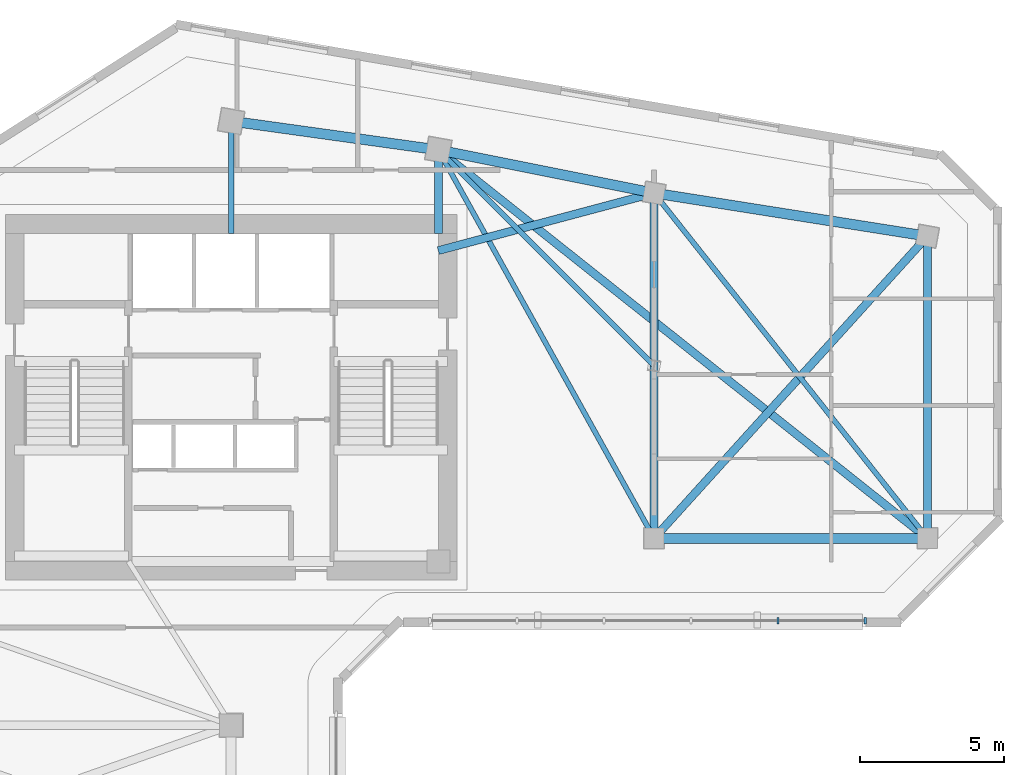
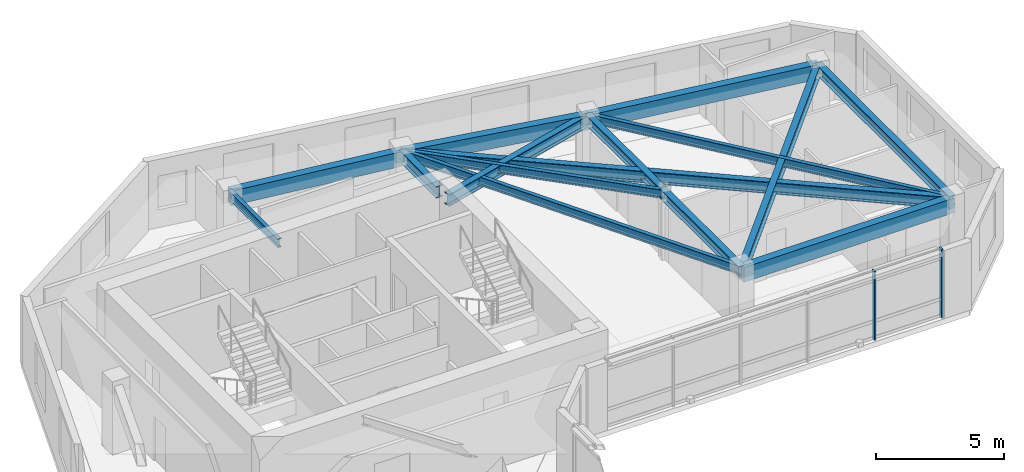
# One storey, part 3 of 10: 14 beams, 2 members, 1 element without a shape of its own.
"""IFC4 building model written with IfcOpenShell, lengths in metres."""

from ifc_helpers import new_model, si_unit, direction, frame, origin, origin_2d, place, context, subcontext, project, spatial, rectangle, i_section, extrude, source, transform, mapped, material, material_profile, profile_set, type_object, element, aggregate, save


model = new_model("IFC4")

# Units and contexts
model_context = context("Model", 3, precision=1e-05, world=origin(), true_north=direction((0.0, 1.0)))
body_context = subcontext(model_context, "Body", "Model", "MODEL_VIEW")
ifc_project = project(units=[si_unit("LENGTHUNIT", "METRE"), si_unit("AREAUNIT", "SQUARE_METRE"), si_unit("VOLUMEUNIT", "CUBIC_METRE"), si_unit("PLANEANGLEUNIT", "RADIAN"), si_unit("MASSUNIT", "GRAM", prefix="KILO")], contexts=[model_context])

# Site, building, storey
site_placement = place(None, origin())
site = spatial("IfcSite", under=ifc_project, at=site_placement, CompositionType="ELEMENT")
building_placement = place(site_placement, origin())
building = spatial("IfcBuilding", under=site, at=building_placement, Name="Calvemar Wedge Station Tower", CompositionType="ELEMENT")
storey_placement = place(building_placement, frame((0.0, 0.0, 204.39990234375)))
storey = spatial("IfcBuildingStorey", under=building, at=storey_placement, Name="L51", CompositionType="ELEMENT", Elevation=204.39990234375)

# Beams
ifc_material_1 = material(Name="Structural steel ASTM A572 Grade 50", Category="steel")
ifc_material_profile_1 = material_profile(ifc_material_1, i_section(OverallWidth=0.177978515625, OverallDepth=0.406982421875, WebThickness=0.0078125, FlangeThickness=0.0126953125, FilletRadius=0.010009765625, at=origin_2d()), Name="W410x60")
ifc_profile_set_1 = profile_set([ifc_material_profile_1], Name="Structural steel ASTM A572 Grade 50")
beam_type_1 = type_object("IfcBeamType", Name="BM-J3-W410", PredefinedType="JOIST", material=ifc_profile_set_1)
shared_shape_1 = source(origin(), body_context, "Body", "SweptSolid", [
    extrude(i_section(OverallWidth=0.177978515625, OverallDepth=0.406982421875, WebThickness=0.0078125, FlangeThickness=0.0126953125, FilletRadius=0.010009765625, at=origin_2d()), origin(), (0.0, 0.0, 1.0), 15.443359375),
])
beam_1_placement = place(storey_placement, frame((31.0, 48.5, 3.046630859375), z_axis=(0.485642931179, -0.874157276122, 0.0), x_axis=(0.874157276122, 0.485642931179, 0.0)))
element("IfcBeam", 1, at=beam_1_placement, inside=storey, type_object=beam_type_1, Name="Storey L51 Floor Beam T-N2-T-NL2", PredefinedType="JOIST", context=body_context, shape_type="MappedRepresentation", body=[
    mapped(shared_shape_1, transform((0.0, 0.0, 0.0), scale=1.0)),
])
ifc_material_profile_2 = material_profile(ifc_material_1, i_section(OverallWidth=0.279052734375, OverallDepth=0.553955078125, WebThickness=0.017578125, FlangeThickness=0.029541015625, FilletRadius=0.014892578125, at=origin_2d()), Name="W530x196")
ifc_profile_set_2 = profile_set([ifc_material_profile_2], Name="Structural steel ASTM A572 Grade 50")
beam_type_2 = type_object("IfcBeamType", Name="BM-SB3-W530H", PredefinedType="BEAM", material=ifc_profile_set_2)
shared_shape_2 = source(origin(), body_context, "Body", "SweptSolid", [
    extrude(i_section(OverallWidth=0.279052734375, OverallDepth=0.553955078125, WebThickness=0.017578125, FlangeThickness=0.029541015625, FilletRadius=0.014892578125, at=origin_2d()), origin(), (0.0, 0.0, 1.0), 21.708251953125),
])
beam_2_placement = place(storey_placement, frame((31.0, 48.5, 2.97314453125), z_axis=(0.783110847498, -0.621882143602, 0.0), x_axis=(0.621882143602, 0.783110847498, 0.0)))
element("IfcBeam", 2, at=beam_2_placement, inside=storey, type_object=beam_type_2, Name="Storey L51 Floor Beam T-N2-T-NL3", PredefinedType="BEAM", context=body_context, shape_type="MappedRepresentation", body=[
    mapped(shared_shape_2, transform((0.0, 0.0, 0.0), scale=1.0)),
])
shared_shape_3 = source(origin(), body_context, "Body", "SweptSolid", [
    extrude(i_section(OverallWidth=0.177978515625, OverallDepth=0.406982421875, WebThickness=0.0078125, FlangeThickness=0.0126953125, FilletRadius=0.010009765625, at=origin_2d()), origin(), (0.0, 0.0, 1.0), 15.30517578125),
])
beam_3_placement = place(storey_placement, frame((38.5, 47.0, 3.046630859375), z_axis=(0.620702944366, -0.784045824462, 0.0), x_axis=(0.784045824462, 0.620702944366, 0.0)))
element("IfcBeam", 3, at=beam_3_placement, inside=storey, type_object=beam_type_1, Name="Storey L51 Floor Beam T-NU3-T-NL3", PredefinedType="JOIST", context=body_context, shape_type="MappedRepresentation", body=[
    mapped(shared_shape_3, transform((0.0, 0.0, 0.0), scale=1.0)),
])
shared_shape_4 = source(origin(), body_context, "Body", "SweptSolid", [
    extrude(i_section(OverallWidth=0.279052734375, OverallDepth=0.553955078125, WebThickness=0.017578125, FlangeThickness=0.029541015625, FilletRadius=0.014892578125, at=origin_2d()), origin(), (0.0, 0.0, 1.0), 14.159912109375),
])
beam_4_placement = place(storey_placement, frame((38.5, 35.0, 2.97314453125), z_axis=(0.670913323969, 0.741535779124, 0.0), x_axis=(-0.741535779124, 0.670913323969, 0.0)))
element("IfcBeam", 4, at=beam_4_placement, inside=storey, type_object=beam_type_2, Name="Storey L51 Floor Beam T-NL2-T-NU4", PredefinedType="BEAM", context=body_context, shape_type="MappedRepresentation", body=[
    mapped(shared_shape_4, transform((0.0, 0.0, 0.0), scale=1.0)),
])
shared_shape_5 = source(origin(), body_context, "Body", "SweptSolid", [
    extrude(i_section(OverallWidth=0.279052734375, OverallDepth=0.553955078125, WebThickness=0.017578125, FlangeThickness=0.029541015625, FilletRadius=0.014892578125, at=origin_2d()), origin(), (0.0, 0.0, 1.0), 7.76220703125),
])
beam_5_placement = place(storey_placement, frame((31.0, 45.0, 2.97314453125), z_axis=(0.966234939601, 0.25766265056, 0.0), x_axis=(-0.25766265056, 0.966234939601, 0.0)))
element("IfcBeam", 5, at=beam_5_placement, inside=storey, type_object=beam_type_2, Name="Storey L51 Core-to-Column Joist CJ-E2", PredefinedType="BEAM", context=body_context, shape_type="MappedRepresentation", body=[
    mapped(shared_shape_5, transform((0.0, 0.0, 0.0), scale=1.0)),
])
shared_shape_6 = source(origin(), body_context, "Body", "SweptSolid", [
    extrude(i_section(OverallWidth=0.177978515625, OverallDepth=0.406982421875, WebThickness=0.0078125, FlangeThickness=0.0126953125, FilletRadius=0.010009765625, at=origin_2d()), origin(), (0.0, 0.0, 1.0), 3.89990234375),
])
beam_6_placement = place(storey_placement, frame((23.800048828125, 45.60009765625, 3.046630859375), z_axis=(0.0, 1.0, 0.0), x_axis=(-1.0, 0.0, 0.0)))
element("IfcBeam", 6, at=beam_6_placement, inside=storey, type_object=beam_type_1, Name="Storey L51 Core-to-Column Joist CJ-N1", PredefinedType="JOIST", context=body_context, shape_type="MappedRepresentation", body=[
    mapped(shared_shape_6, transform((0.0, 0.0, 0.0), scale=1.0)),
])
shared_shape_7 = source(origin(), body_context, "Body", "SweptSolid", [
    extrude(i_section(OverallWidth=0.279052734375, OverallDepth=0.553955078125, WebThickness=0.017578125, FlangeThickness=0.029541015625, FilletRadius=0.014892578125, at=origin_2d()), origin(), (0.0, 0.0, 1.0), 2.89990234375),
])
beam_7_placement = place(storey_placement, frame((31.0, 45.60009765625, 2.97314453125), z_axis=(0.0, 1.0, 0.0), x_axis=(-1.0, 0.0, 0.0)))
element("IfcBeam", 7, at=beam_7_placement, inside=storey, type_object=beam_type_2, Name="Storey L51 Core-to-Column Joist CJ-N2", PredefinedType="BEAM", context=body_context, shape_type="MappedRepresentation", body=[
    mapped(shared_shape_7, transform((0.0, 0.0, 0.0), scale=1.0)),
])
shared_shape_8 = source(origin(), body_context, "Body", "SweptSolid", [
    extrude(i_section(OverallWidth=0.177978515625, OverallDepth=0.406982421875, WebThickness=0.0078125, FlangeThickness=0.0126953125, FilletRadius=0.010009765625, at=origin_2d()), origin(), (0.0, 0.0, 1.0), 10.606689453125),
])
beam_8_placement = place(storey_placement, frame((38.5, 41.0, 3.046630859375), z_axis=(-0.707106781187, 0.707106781187, 0.0), x_axis=(-0.707106781187, -0.707106781187, 0.0)))
element("IfcBeam", 8, at=beam_8_placement, inside=storey, type_object=beam_type_1, Name="Storey L51 Floor Beam T-NTIP-B-T-N2", PredefinedType="JOIST", context=body_context, shape_type="MappedRepresentation", body=[
    mapped(shared_shape_8, transform((0.0, 0.0, 0.0), scale=1.0)),
])
ifc_material_2 = material(Name="Concrete C50", Category="concrete")
ifc_material_profile_3 = material_profile(ifc_material_2, rectangle(XDim=0.35009765625, YDim=0.699951171875, at=origin_2d()), Name="RC350x700")
ifc_profile_set_3 = profile_set([ifc_material_profile_3], Name="Concrete C50")
beam_type_3 = type_object("IfcBeamType", Name="BM-SP2-700", PredefinedType="SPANDREL", material=ifc_profile_set_3)
shared_shape_9 = source(origin(), body_context, "Body", "SweptSolid", [
    extrude(rectangle(XDim=0.35009765625, YDim=0.699951171875, at=origin_2d()), origin(), (0.0, 0.0, 1.0), 7.26904296875),
])
beam_9_placement = place(storey_placement, frame((23.800048828125, 49.5, 2.900146484375), z_axis=(0.990492146053, -0.13756928657, 0.0), x_axis=(0.13756928657, 0.990492146053, 0.0)))
element("IfcBeam", 9, at=beam_9_placement, inside=storey, type_object=beam_type_3, Name="Storey L51 Spandrel T-N1-T-N2", PredefinedType="SPANDREL", context=body_context, shape_type="MappedRepresentation", body=[
    mapped(shared_shape_9, transform((0.0, 0.0, 0.0), scale=1.0)),
])
shared_shape_10 = source(origin(), body_context, "Body", "SweptSolid", [
    extrude(rectangle(XDim=0.35009765625, YDim=0.699951171875, at=origin_2d()), origin(), (0.0, 0.0, 1.0), 7.6484375),
])
beam_10_placement = place(storey_placement, frame((31.0, 48.5, 2.900146484375), z_axis=(0.980580675691, -0.196116135138, 0.0), x_axis=(0.196116135138, 0.980580675691, 0.0)))
element("IfcBeam", 10, at=beam_10_placement, inside=storey, type_object=beam_type_3, Name="Storey L51 Spandrel T-N2-T-NU3", PredefinedType="SPANDREL", context=body_context, shape_type="MappedRepresentation", body=[
    mapped(shared_shape_10, transform((0.0, 0.0, 0.0), scale=1.0)),
])
shared_shape_11 = source(origin(), body_context, "Body", "SweptSolid", [
    extrude(rectangle(XDim=0.35009765625, YDim=0.699951171875, at=origin_2d()), origin(), (0.0, 0.0, 1.0), 9.61767578125),
])
beam_11_placement = place(storey_placement, frame((38.5, 47.0, 2.900146484375), z_axis=(0.987762965329, -0.155962573473, 0.0), x_axis=(0.155962573473, 0.987762965329, 0.0)))
element("IfcBeam", 11, at=beam_11_placement, inside=storey, type_object=beam_type_3, Name="Storey L51 Spandrel T-NU3-T-NU4", PredefinedType="SPANDREL", context=body_context, shape_type="MappedRepresentation", body=[
    mapped(shared_shape_11, transform((0.0, 0.0, 0.0), scale=1.0)),
])
shared_shape_12 = source(origin(), body_context, "Body", "SweptSolid", [
    extrude(rectangle(XDim=0.35009765625, YDim=0.699951171875, at=origin_2d()), origin(), (0.0, 0.0, 1.0), 9.5),
])
beam_12_placement = place(storey_placement, frame((38.5, 35.0, 2.900146484375), z_axis=(1.0, 0.0, 0.0), x_axis=(0.0, 1.0, 0.0)))
element("IfcBeam", 12, at=beam_12_placement, inside=storey, type_object=beam_type_3, Name="Storey L51 Spandrel T-NL2-T-NL3", PredefinedType="SPANDREL", context=body_context, shape_type="MappedRepresentation", body=[
    mapped(shared_shape_12, transform((0.0, 0.0, 0.0), scale=1.0)),
])
ifc_material_profile_4 = material_profile(ifc_material_1, i_section(OverallWidth=0.283935546875, OverallDepth=0.47607421875, WebThickness=0.014892578125, FlangeThickness=0.02392578125, FilletRadius=0.014892578125, at=origin_2d()), Name="W460x158")
ifc_profile_set_4 = profile_set([ifc_material_profile_4], Name="Structural steel ASTM A572 Grade 50")
beam_type_4 = type_object("IfcBeamType", Name="BM-SB5-W460H", PredefinedType="BEAM", material=ifc_profile_set_4)
shared_shape_13 = source(origin(), body_context, "Body", "SweptSolid", [
    extrude(i_section(OverallWidth=0.283935546875, OverallDepth=0.47607421875, WebThickness=0.014892578125, FlangeThickness=0.02392578125, FilletRadius=0.014892578125, at=origin_2d()), origin(), (0.0, 0.0, 1.0), 12.0),
])
beam_13_placement = place(storey_placement, frame((38.5, 47.0, 3.01220703125), z_axis=(0.0, -1.0, 0.0), x_axis=(1.0, 0.0, 0.0)))
element("IfcBeam", 13, at=beam_13_placement, inside=storey, type_object=beam_type_4, Name="Storey L51 Floor Beam T-NU3-T-NL2", PredefinedType="BEAM", context=body_context, shape_type="MappedRepresentation", body=[
    mapped(shared_shape_13, transform((0.0, 0.0, 0.0), scale=1.0)),
])
shared_shape_14 = source(origin(), body_context, "Body", "SweptSolid", [
    extrude(i_section(OverallWidth=0.283935546875, OverallDepth=0.47607421875, WebThickness=0.014892578125, FlangeThickness=0.02392578125, FilletRadius=0.014892578125, at=origin_2d()), origin(), (0.0, 0.0, 1.0), 10.5),
])
beam_14_placement = place(storey_placement, frame((48.0, 45.5, 3.01220703125), z_axis=(0.0, -1.0, 0.0), x_axis=(1.0, 0.0, 0.0)))
element("IfcBeam", 14, at=beam_14_placement, inside=storey, type_object=beam_type_4, Name="Storey L51 Floor Beam T-NU4-T-NL3", PredefinedType="BEAM", context=body_context, shape_type="MappedRepresentation", body=[
    mapped(shared_shape_14, transform((0.0, 0.0, 0.0), scale=1.0)),
])

# Curtain wall, members
ifc_material_3 = material(Name="Anodised aluminium 6063-T6", Category="aluminium")
curtain_wall_type = type_object("IfcCurtainWallType", Name="CW3", PredefinedType="NOTDEFINED", material=ifc_material_3)
curtain_wall_placement = place(storey_placement, origin())
curtain_wall = element("IfcCurtainWall", 15, at=curtain_wall_placement, inside=storey, type_object=curtain_wall_type, Name="Storey L51 CW3 Recessed Unitised Curtain Wall 6", PredefinedType="NOTDEFINED")
ifc_material_profile_5 = material_profile(ifc_material_3, rectangle(XDim=0.074951171875, YDim=0.2099609375, at=origin_2d()), Name="AL-MUL-75x210")
ifc_profile_set_5 = profile_set([ifc_material_profile_5], Name="Anodised aluminium 6063-T6")
member_type = type_object("IfcMemberType", Name="CW3-MUL", PredefinedType="MULLION", material=ifc_profile_set_5)
shared_shape_15 = source(origin(), body_context, "Body", "SweptSolid", [
    extrude(rectangle(XDim=0.074951171875, YDim=0.2099609375, at=origin_2d()), origin(), (0.0, 0.0, 1.0), 3.2998046875),
])
member_1_placement = place(storey_placement, frame((42.810791015625, 32.134033203125, -0.0498046875), z_axis=(0.0, 0.0, 1.0), x_axis=(1.0, 0.0, 0.0)))
member_1 = element("IfcMember", 16, at=member_1_placement, type_object=member_type, Name="CW3 mullion 5", PredefinedType="MULLION", context=body_context, shape_type="MappedRepresentation", body=[
    mapped(shared_shape_15, transform((0.0, 0.0, 0.0), scale=1.0)),
])
member_2_placement = place(storey_placement, frame((45.837890625, 32.134033203125, -0.0498046875), z_axis=(0.0, 0.0, 1.0), x_axis=(1.0, 0.0, 0.0)))
member_2 = element("IfcMember", 17, at=member_2_placement, type_object=member_type, Name="CW3 mullion 6", PredefinedType="MULLION", context=body_context, shape_type="MappedRepresentation", body=[
    mapped(shared_shape_15, transform((0.0, 0.0, 0.0), scale=1.0)),
])
aggregate(curtain_wall, [member_1, member_2])

save(model, "model.ifc")
